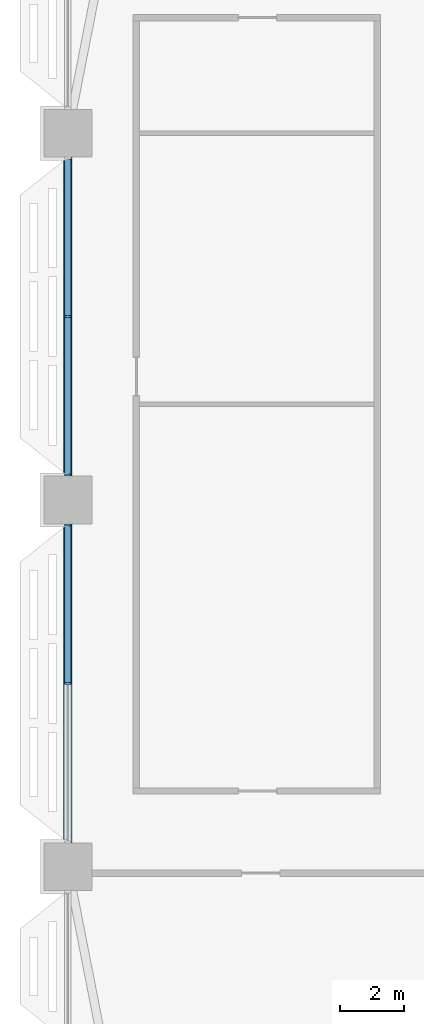
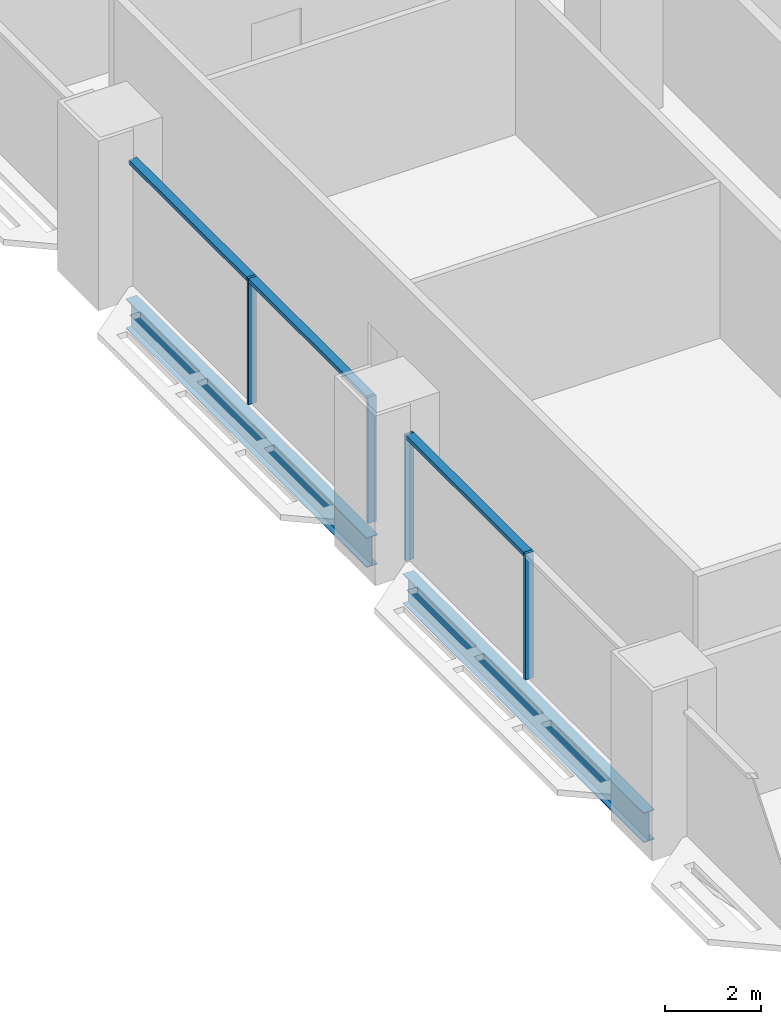
# One storey, part 4 of 29: 7 members, 2 beams, 2 elements without a shape of their own.
"""IFC4 building model written with IfcOpenShell, lengths in metres."""

from ifc_helpers import new_model, si_unit, direction, frame, origin, origin_2d, place, context, subcontext, project, spatial, rectangle, i_section, extrude, material, material_profile, profile_set, type_object, element, aggregate, save


model = new_model("IFC4")

# Units and contexts
model_context = context("Model", 3, precision=1e-05, world=origin(), true_north=direction((0.0, 1.0)))
body_context = subcontext(model_context, "Body", "Model", "MODEL_VIEW")
ifc_project = project(units=[si_unit("LENGTHUNIT", "METRE"), si_unit("AREAUNIT", "SQUARE_METRE"), si_unit("VOLUMEUNIT", "CUBIC_METRE"), si_unit("PLANEANGLEUNIT", "RADIAN"), si_unit("MASSUNIT", "GRAM", prefix="KILO")], contexts=[model_context])

# Site, building, storey
site_placement = place(None, origin())
site = spatial("IfcSite", under=ifc_project, at=site_placement, CompositionType="ELEMENT")
building_placement = place(site_placement, origin())
building = spatial("IfcBuilding", under=site, at=building_placement, Name="Mahtab Terrace Research Tower", CompositionType="ELEMENT")
storey_placement = place(building_placement, frame((0.0, 0.0, 54.60009765625)))
storey = spatial("IfcBuildingStorey", under=building, at=storey_placement, Name="L12", CompositionType="ELEMENT", Elevation=54.60009765625)

# Curtain wall, members
ifc_material_1 = material(Name="Laboratory ribbon curtain wall")
curtain_wall_type = type_object("IfcCurtainWallType", Name="Laboratory ribbon curtain wall", PredefinedType="NOTDEFINED", material=ifc_material_1)
curtain_wall_1_placement = place(storey_placement, origin())
curtain_wall_1 = element("IfcCurtainWall", 1, at=curtain_wall_1_placement, inside=storey, type_object=curtain_wall_type, Name="EN.L12.8.16", PredefinedType="NOTDEFINED")
ifc_material_2 = material(Name="Natural anodised aluminium", Category="aluminium")
ifc_material_profile_1 = material_profile(ifc_material_2, rectangle(XDim=0.199951171875, YDim=0.06494140625, at=origin_2d()), Name="MULLION 65x200")
ifc_profile_set_1 = profile_set([ifc_material_profile_1], Name="Natural anodised aluminium")
member_type_1 = type_object("IfcMemberType", Name="Laboratory ribbon curtain wall mullion", PredefinedType="MULLION", material=ifc_profile_set_1)
member_1_placement = place(storey_placement, frame((-42.0, 5.75, 0.0), z_axis=(0.0, 0.0, 1.0), x_axis=(1.0, 0.0, 0.0)))
member_1 = element("IfcMember", 2, at=member_1_placement, type_object=member_type_1, Name="CWL-2 mullion 2", PredefinedType="MULLION", context=body_context, shape_type="SweptSolid", body=[
    extrude(rectangle(XDim=0.199951171875, YDim=0.06494140625, at=origin_2d()), origin(), (0.0, 0.0, 1.0), 3.202880859375),
])
member_2_placement = place(storey_placement, frame((-42.0, 0.782470703125, 0.0), z_axis=(0.0, 0.0, 1.0), x_axis=(1.0, 0.0, 0.0)))
member_2 = element("IfcMember", 3, at=member_2_placement, type_object=member_type_1, Name="CWL-2 mullion 3", PredefinedType="MULLION", context=body_context, shape_type="SweptSolid", body=[
    extrude(rectangle(XDim=0.199951171875, YDim=0.06494140625, at=origin_2d()), origin(), (0.0, 0.0, 1.0), 3.202880859375),
])

curtain_wall_2_placement = place(storey_placement, origin())
curtain_wall_2 = element("IfcCurtainWall", 4, at=curtain_wall_2_placement, inside=storey, type_object=curtain_wall_type, Name="EN.L12.8.17", PredefinedType="NOTDEFINED")
member_3_placement = place(storey_placement, frame((-42.0, -0.782470703125, 0.0), z_axis=(0.0, 0.0, 1.0), x_axis=(1.0, 0.0, 0.0)))
member_3 = element("IfcMember", 5, at=member_3_placement, type_object=member_type_1, Name="CWL-2 mullion 1", PredefinedType="MULLION", context=body_context, shape_type="SweptSolid", body=[
    extrude(rectangle(XDim=0.199951171875, YDim=0.06494140625, at=origin_2d()), origin(), (0.0, 0.0, 1.0), 3.202880859375),
])
member_4_placement = place(storey_placement, frame((-42.0, -5.75, 0.0), z_axis=(0.0, 0.0, 1.0), x_axis=(1.0, 0.0, 0.0)))
member_4 = element("IfcMember", 6, at=member_4_placement, type_object=member_type_1, Name="CWL-2 mullion 2", PredefinedType="MULLION", context=body_context, shape_type="SweptSolid", body=[
    extrude(rectangle(XDim=0.199951171875, YDim=0.06494140625, at=origin_2d()), origin(), (0.0, 0.0, 1.0), 3.202880859375),
])

# Member
ifc_material_profile_2 = material_profile(ifc_material_2, rectangle(XDim=0.199951171875, YDim=0.10009765625, at=origin_2d()), Name="TRANSOM 100x200")
ifc_profile_set_2 = profile_set([ifc_material_profile_2], Name="Natural anodised aluminium")
member_type_2 = type_object("IfcMemberType", Name="Laboratory ribbon curtain wall transom", PredefinedType="USERDEFINED", material=ifc_profile_set_2)
member_5_placement = place(storey_placement, frame((-42.0, 10.68505859375, 3.153076171875), z_axis=(0.0, -1.0, 0.0), x_axis=(1.0, 0.0, 0.0)))
member_5 = element("IfcMember", 7, at=member_5_placement, type_object=member_type_2, Name="CWL-2 transom 1", ObjectType="TRANSOM", PredefinedType="USERDEFINED", context=body_context, shape_type="SweptSolid", body=[
    extrude(rectangle(XDim=0.199951171875, YDim=0.10009765625, at=origin_2d()), origin(), (0.0, 0.0, 1.0), 4.902587890625),
])

member_6_placement = place(storey_placement, frame((-42.0, 5.717529296875, 3.153076171875), z_axis=(0.0, -1.0, 0.0), x_axis=(1.0, 0.0, 0.0)))
member_6 = element("IfcMember", 8, at=member_6_placement, type_object=member_type_2, Name="CWL-2 transom 2", ObjectType="TRANSOM", PredefinedType="USERDEFINED", context=body_context, shape_type="SweptSolid", body=[
    extrude(rectangle(XDim=0.199951171875, YDim=0.10009765625, at=origin_2d()), origin(), (0.0, 0.0, 1.0), 4.902587890625),
])

aggregate(curtain_wall_1, [member_1, member_2, member_5, member_6])

member_7_placement = place(storey_placement, frame((-42.0, -0.81494140625, 3.153076171875), z_axis=(0.0, -1.0, 0.0), x_axis=(1.0, 0.0, 0.0)))
member_7 = element("IfcMember", 9, at=member_7_placement, type_object=member_type_2, Name="CWL-2 transom 1", ObjectType="TRANSOM", PredefinedType="USERDEFINED", context=body_context, shape_type="SweptSolid", body=[
    extrude(rectangle(XDim=0.199951171875, YDim=0.10009765625, at=origin_2d()), origin(), (0.0, 0.0, 1.0), 4.902587890625),
])

aggregate(curtain_wall_2, [member_3, member_4, member_7])

# Beams
ifc_material_3 = material(Name="Steel ASTM A992 Gr 50", Category="steel")
ifc_material_profile_3 = material_profile(ifc_material_3, i_section(OverallWidth=0.2666015625, OverallDepth=0.7568359375, WebThickness=0.013916015625, FlangeThickness=0.019287109375, at=origin_2d()), Name="W30X108")
ifc_profile_set_3 = profile_set([ifc_material_profile_3], Name="Steel ASTM A992 Gr 50")
beam_type = type_object("IfcBeamType", Name="W30x108 beam BS30108", PredefinedType="BEAM", material=ifc_profile_set_3)
for number, where, z_axis, x_axis, name in (
    (10, (-42.0, 10.75, -0.718505859375), (0.0, -1.0, 0.0), (1.0, 0.0, 0.0), "Spandrel beam L12 10"),
    (11, (-42.0, -0.75, -0.718505859375), (0.0, -1.0, 0.0), (1.0, 0.0, 0.0), "Spandrel beam L12 11"),
):
    element("IfcBeam", number, at=place(storey_placement, frame(where, z_axis=z_axis, x_axis=x_axis)), inside=storey, type_object=beam_type, Name=name, PredefinedType="BEAM", context=body_context, shape_type="SweptSolid", body=[
        extrude(i_section(OverallWidth=0.2666015625, OverallDepth=0.7568359375, WebThickness=0.013916015625, FlangeThickness=0.019287109375, at=origin_2d()), origin(), (0.0, 0.0, 1.0), 10.0),
    ])

save(model, "model.ifc")
